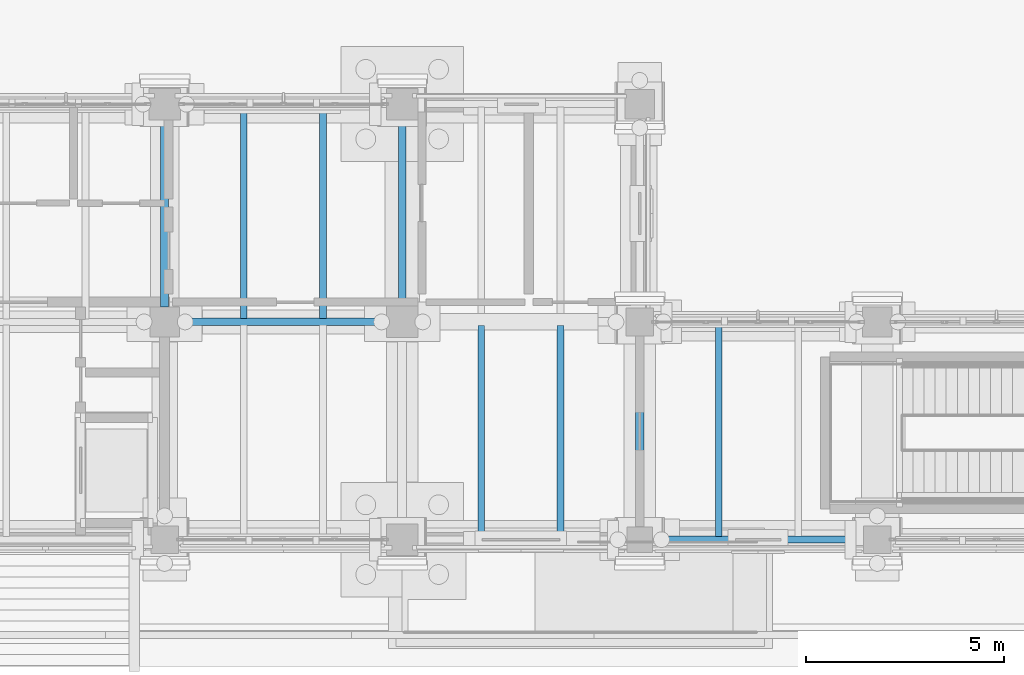
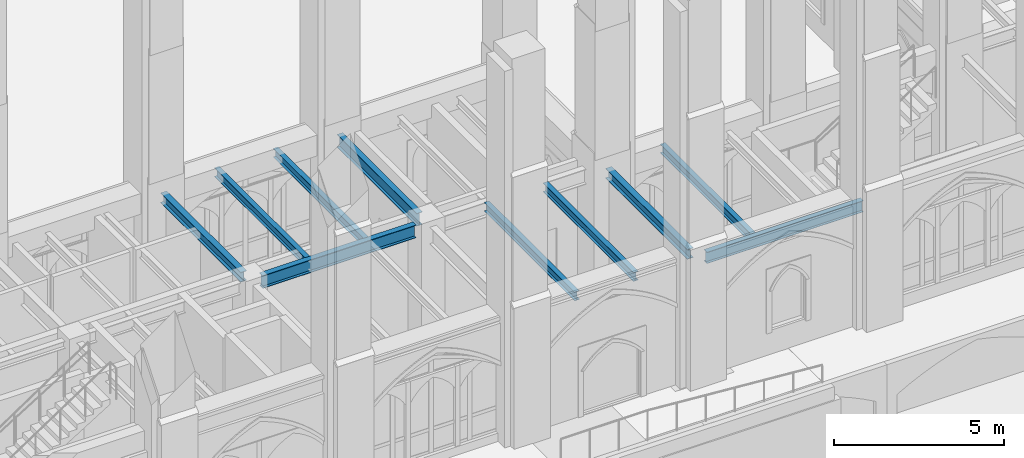
# One storey, part 24 of 135: 10 beams.
"""IFC4 building model written with IfcOpenShell, lengths in metres."""

from ifc_helpers import new_model, si_unit, direction, frame, origin, origin_2d, place, context, subcontext, project, spatial, i_section, extrude, material, material_profile, profile_set, type_object, element, save


model = new_model("IFC4")

# Units and contexts
model_context = context("Model", 3, precision=1e-05, world=origin(), true_north=direction((0.0, 1.0)))
body_context = subcontext(model_context, "Body", "Model", "MODEL_VIEW")
ifc_project = project(units=[si_unit("LENGTHUNIT", "METRE"), si_unit("AREAUNIT", "SQUARE_METRE"), si_unit("VOLUMEUNIT", "CUBIC_METRE"), si_unit("PLANEANGLEUNIT", "RADIAN"), si_unit("MASSUNIT", "GRAM", prefix="KILO")], contexts=[model_context])

# Site, building, storey
site_placement = place(None, origin())
site = spatial("IfcSite", under=ifc_project, at=site_placement, CompositionType="ELEMENT")
building_placement = place(site_placement, origin())
building = spatial("IfcBuilding", under=site, at=building_placement, Name="Cumevento Cable Car Station", CompositionType="ELEMENT")
storey_placement = place(building_placement, origin())
storey = spatial("IfcBuildingStorey", under=building, at=storey_placement, Name="L01", CompositionType="ELEMENT", Elevation=0.0)

# Beams
ifc_material_1 = material(Name="Steel ASTM A572 Grade 50", Category="steel")
ifc_material_profile_1 = material_profile(ifc_material_1, i_section(OverallWidth=0.18994140625, OverallDepth=0.45703125, WebThickness=0.009033203125, FlangeThickness=0.014404296875, at=origin_2d()), Name="W460x74.0")
ifc_profile_set_1 = profile_set([ifc_material_profile_1], Name="Steel ASTM A572 Grade 50")
beam_type_1 = type_object("IfcBeamType", Name="Structural Beam BM-04 W460x74.0", PredefinedType="BEAM", material=ifc_profile_set_1)
beam_1_placement = place(storey_placement, frame((40.0, 9.89990234375, 4.0595703125), z_axis=(0.0, 1.0, 0.0), x_axis=(-1.0, 0.0, 0.0)))
element("IfcBeam", 1, at=beam_1_placement, inside=storey, type_object=beam_type_1, Name="Beam BM-04 L01 #20", PredefinedType="BEAM", context=body_context, shape_type="SweptSolid", body=[
    extrude(i_section(OverallWidth=0.18994140625, OverallDepth=0.45703125, WebThickness=0.009033203125, FlangeThickness=0.014404296875, at=origin_2d()), origin(), (0.0, 0.0, 1.0), 4.7001953125),
])
ifc_material_2 = material(Name="Steel ASTM A572 Grade 50", Category="steel")
ifc_material_profile_2 = material_profile(ifc_material_2, i_section(OverallWidth=0.205078125, OverallDepth=0.35400390625, WebThickness=0.009521484375, FlangeThickness=0.016845703125, at=origin_2d()), Name="W360x79.0")
ifc_profile_set_2 = profile_set([ifc_material_profile_2], Name="Steel ASTM A572 Grade 50")
beam_type_2 = type_object("IfcBeamType", Name="Structural Beam BM-05 W360x79.0", PredefinedType="BEAM", material=ifc_profile_set_2)
beam_2_placement = place(storey_placement, frame((34.0, 9.875, 4.111083984375), z_axis=(0.0, 1.0, 0.0), x_axis=(-1.0, 0.0, 0.0)))
element("IfcBeam", 2, at=beam_2_placement, inside=storey, type_object=beam_type_2, Name="Beam BM-05 L01 #18", PredefinedType="BEAM", context=body_context, shape_type="SweptSolid", body=[
    extrude(i_section(OverallWidth=0.205078125, OverallDepth=0.35400390625, WebThickness=0.009521484375, FlangeThickness=0.016845703125, at=origin_2d()), origin(), (0.0, 0.0, 1.0), 4.72509765625),
])
beam_3_placement = place(storey_placement, frame((46.0, 4.324951171875, 4.09912109375), z_axis=(0.0, 1.0, 0.0), x_axis=(-1.0, 0.0, 0.0)))
element("IfcBeam", 3, at=beam_3_placement, inside=storey, type_object=beam_type_2, Name="Beam BM-05 L01 #21", PredefinedType="BEAM", context=body_context, shape_type="SweptSolid", body=[
    extrude(i_section(OverallWidth=0.205078125, OverallDepth=0.35400390625, WebThickness=0.009521484375, FlangeThickness=0.016845703125, at=origin_2d()), origin(), (0.0, 0.0, 1.0), 4.824951171875),
])
ifc_material_3 = material(Name="Steel ASTM A572 Grade 50", Category="steel")
ifc_material_profile_3 = material_profile(ifc_material_3, i_section(OverallWidth=0.19189453125, OverallDepth=0.462890625, WebThickness=0.010498046875, FlangeThickness=0.017578125, at=origin_2d()), Name="W460x89.0")
ifc_profile_set_3 = profile_set([ifc_material_profile_3], Name="Steel ASTM A572 Grade 50")
beam_type_3 = type_object("IfcBeamType", Name="Structural Beam BM-10 W460x89.0", PredefinedType="BEAM", material=ifc_profile_set_3)
beam_4_placement = place(storey_placement, frame((34.375, 9.5, 4.056396484375), z_axis=(1.0, 0.0, 0.0), x_axis=(0.0, 1.0, 0.0)))
element("IfcBeam", 4, at=beam_4_placement, inside=storey, type_object=beam_type_3, Name="Beam BM-10 L01 #7", PredefinedType="BEAM", context=body_context, shape_type="SweptSolid", body=[
    extrude(i_section(OverallWidth=0.19189453125, OverallDepth=0.462890625, WebThickness=0.010498046875, FlangeThickness=0.017578125, at=origin_2d()), origin(), (0.0, 0.0, 1.0), 5.22509765625),
])
ifc_material_4 = material(Name="Steel ASTM A572 Grade 50", Category="steel")
ifc_material_profile_4 = material_profile(ifc_material_4, i_section(OverallWidth=0.1669921875, OverallDepth=0.31689453125, WebThickness=0.007568359375, FlangeThickness=0.01318359375, at=origin_2d()), Name="W310x52.0")
ifc_profile_set_4 = profile_set([ifc_material_profile_4], Name="Steel ASTM A572 Grade 50")
beam_type_4 = type_object("IfcBeamType", Name="Structural Joist JS-02 W310x52.0", PredefinedType="JOIST", material=ifc_profile_set_4)
for number, where, z_axis, x_axis, name in (
    (5, (36.0, 9.583984375, 4.12939453125), (0.0, 1.0, 0.0), (-1.0, 0.0, 0.0), "Composite Floor Joist JS-02 L01 #310"),
    (6, (38.0, 9.583984375, 4.12939453125), (0.0, 1.0, 0.0), (-1.0, 0.0, 0.0), "Composite Floor Joist JS-02 L01 #312"),
):
    element("IfcBeam", number, at=place(storey_placement, frame(where, z_axis=z_axis, x_axis=x_axis)), inside=storey, type_object=beam_type_4, Name=name, PredefinedType="JOIST", context=body_context, shape_type="SweptSolid", body=[
        extrude(i_section(OverallWidth=0.1669921875, OverallDepth=0.31689453125, WebThickness=0.007568359375, FlangeThickness=0.01318359375, at=origin_2d()), origin(), (0.0, 0.0, 1.0), 5.339111328125),
    ])
for number, where, z_axis, x_axis, name in (
    (7, (42.0, 4.076904296875, 4.12939453125), (0.0, 1.0, 0.0), (-1.0, 0.0, 0.0), "Composite Floor Joist JS-02 L01 #313"),
    (8, (44.0, 4.076904296875, 4.12939453125), (0.0, 1.0, 0.0), (-1.0, 0.0, 0.0), "Composite Floor Joist JS-02 L01 #315"),
):
    element("IfcBeam", number, at=place(storey_placement, frame(where, z_axis=z_axis, x_axis=x_axis)), inside=storey, type_object=beam_type_4, Name=name, PredefinedType="JOIST", context=body_context, shape_type="SweptSolid", body=[
        extrude(i_section(OverallWidth=0.1669921875, OverallDepth=0.31689453125, WebThickness=0.007568359375, FlangeThickness=0.01318359375, at=origin_2d()), origin(), (0.0, 0.0, 1.0), 5.32958984375),
    ])
beam_5_placement = place(storey_placement, frame((48.0, 4.076904296875, 4.117431640625), z_axis=(0.0, 1.0, 0.0), x_axis=(-1.0, 0.0, 0.0)))
element("IfcBeam", 9, at=beam_5_placement, inside=storey, type_object=beam_type_4, Name="Composite Floor Joist JS-02 L01 #317", PredefinedType="JOIST", context=body_context, shape_type="SweptSolid", body=[
    extrude(i_section(OverallWidth=0.1669921875, OverallDepth=0.31689453125, WebThickness=0.007568359375, FlangeThickness=0.01318359375, at=origin_2d()), origin(), (0.0, 0.0, 1.0), 5.34619140625),
])
ifc_material_5 = material(Name="Steel ASTM A572 Grade 50", Category="steel")
ifc_material_profile_5 = material_profile(ifc_material_5, i_section(OverallWidth=0.177978515625, OverallDepth=0.406982421875, WebThickness=0.0078125, FlangeThickness=0.0126953125, at=origin_2d()), Name="W410x60.0")
ifc_profile_set_5 = profile_set([ifc_material_profile_5], Name="Steel ASTM A572 Grade 50")
beam_type_5 = type_object("IfcBeamType", Name="Structural Spandrel SP-01 W410x60.0", PredefinedType="SPANDREL", material=ifc_profile_set_5)
beam_6_placement = place(storey_placement, frame((46.324951171875, 4.0, 4.072509765625), z_axis=(1.0, 0.0, 0.0), x_axis=(0.0, 1.0, 0.0)))
element("IfcBeam", 10, at=beam_6_placement, inside=storey, type_object=beam_type_5, Name="Beam SP-01 L01 #23", PredefinedType="SPANDREL", context=body_context, shape_type="SweptSolid", body=[
    extrude(i_section(OverallWidth=0.177978515625, OverallDepth=0.406982421875, WebThickness=0.0078125, FlangeThickness=0.0126953125, at=origin_2d()), origin(), (0.0, 0.0, 1.0), 5.324951171875),
])

save(model, "model.ifc")
